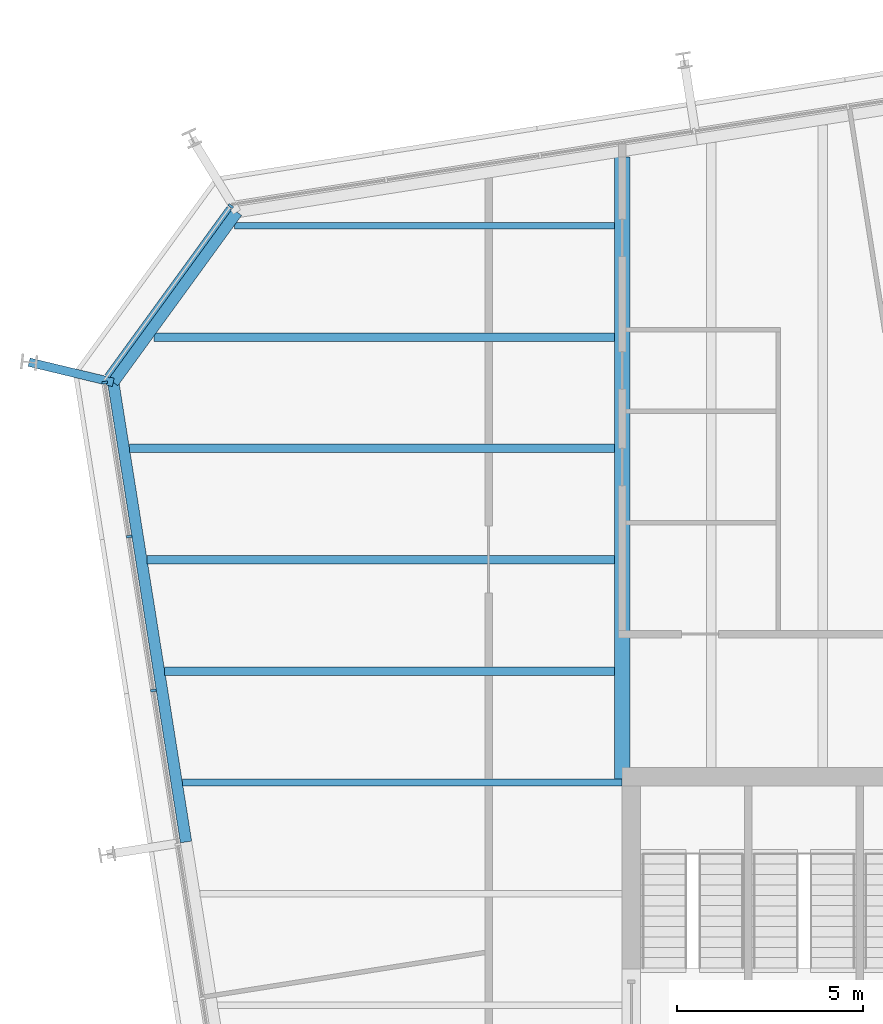
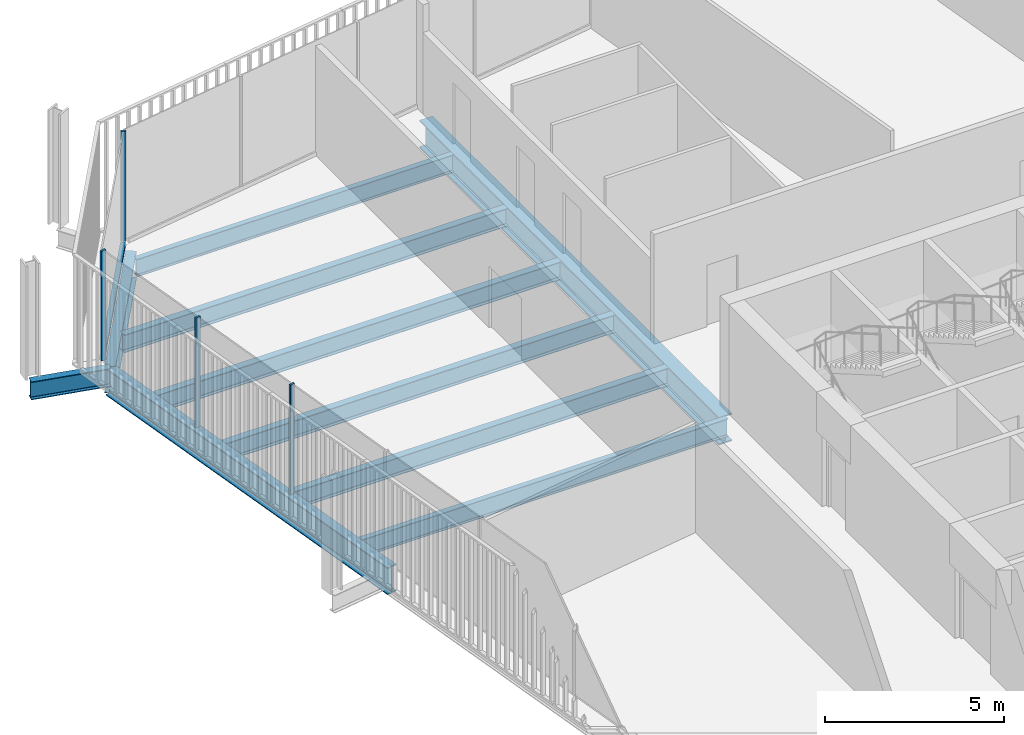
# One storey, part 10 of 20: 10 beams, 5 members, 2 elements without a shape of their own.
"""IFC4 building model written with IfcOpenShell, lengths in metres."""

from ifc_helpers import new_model, si_unit, direction, frame, origin, origin_2d, place, context, subcontext, project, spatial, rectangle, i_section, extrude, material, layer, layer_set, material_profile, profile_set, type_object, element, aggregate, save


model = new_model("IFC4")

# Units and contexts
model_context = context("Model", 3, precision=1e-05, world=origin(), true_north=direction((0.0, 1.0)))
body_context = subcontext(model_context, "Body", "Model", "MODEL_VIEW")
ifc_project = project(units=[si_unit("LENGTHUNIT", "METRE"), si_unit("AREAUNIT", "SQUARE_METRE"), si_unit("VOLUMEUNIT", "CUBIC_METRE"), si_unit("PLANEANGLEUNIT", "RADIAN"), si_unit("MASSUNIT", "GRAM", prefix="KILO")], contexts=[model_context])

# Site, building, storey
site_placement = place(None, origin())
site = spatial("IfcSite", under=ifc_project, at=site_placement, CompositionType="ELEMENT")
building_placement = place(site_placement, origin())
building = spatial("IfcBuilding", under=site, at=building_placement, Name="Millrace Tower", CompositionType="ELEMENT")
storey_placement = place(building_placement, frame((0.0, 0.0, 216.39990234375)))
storey = spatial("IfcBuildingStorey", under=building, at=storey_placement, Name="L49", CompositionType="ELEMENT", Elevation=216.39990234375)

# Curtain wall, member
ifc_material_1 = material(Name="Aluminium and glass", Category="aluminium")
ifc_layer = layer(ifc_material_1, 0.14990234375)
ifc_layer_set = layer_set([ifc_layer], Name="Aluminium and glass")
curtain_wall_type = type_object("IfcCurtainWallType", Name="CW-1 office vision curtain wall", PredefinedType="NOTDEFINED", material=ifc_layer_set)
placement = place(storey_placement, origin())
curtain_wall_1 = element("IfcCurtainWall", 1, at=placement, inside=storey, type_object=curtain_wall_type, Name="Curtain wall D-F07 L49", PredefinedType="NOTDEFINED")
ifc_material_2 = material(Name="Aluminium", Category="aluminium")
ifc_material_profile_1 = material_profile(ifc_material_2, rectangle(XDim=0.06494140625, YDim=0.14990234375, at=origin_2d()))
ifc_profile_set_1 = profile_set([ifc_material_profile_1], Name="Aluminium")
member_type_1 = type_object("IfcMemberType", Name="CW-1 office vision curtain wall mullion", PredefinedType="MULLION", material=ifc_profile_set_1)
member_1_placement = place(storey_placement, frame((-24.945068359375, 24.528076171875, 0.14013671875), z_axis=(0.0, 0.0, 1.0), x_axis=(-0.587785305991, -0.809016955361, 0.0)))
member_1 = element("IfcMember", 2, at=member_1_placement, type_object=member_type_1, Name="CW1 mullion D-F07.1", PredefinedType="MULLION", context=body_context, shape_type="SweptSolid", body=[
    extrude(rectangle(XDim=0.06494140625, YDim=0.14990234375, at=origin_2d()), origin(), (0.0, 0.0, 1.0), 3.760009765625),
])

# Curtain wall, members
curtain_wall_2 = element("IfcCurtainWall", 3, at=placement, inside=storey, type_object=curtain_wall_type, Name="Curtain wall D-F08 L49", PredefinedType="NOTDEFINED")
member_2_placement = place(storey_placement, frame((-28.342529296875, 19.775390625, 0.14013671875), z_axis=(0.0, 0.0, 1.0), x_axis=(0.156434471884, -0.987688339511, 0.0)))
member_2 = element("IfcMember", 4, at=member_2_placement, type_object=member_type_1, Name="CW1 mullion D-F08.1", PredefinedType="MULLION", context=body_context, shape_type="SweptSolid", body=[
    extrude(rectangle(XDim=0.06494140625, YDim=0.14990234375, at=origin_2d()), origin(), (0.0, 0.0, 1.0), 3.760009765625),
])
member_3_placement = place(storey_placement, frame((-27.685302734375, 15.627197265625, 0.14013671875), z_axis=(0.0, 0.0, 1.0), x_axis=(0.156434471884, -0.987688339511, 0.0)))
member_3 = element("IfcMember", 5, at=member_3_placement, type_object=member_type_1, Name="CW1 mullion D-F08.2", PredefinedType="MULLION", context=body_context, shape_type="SweptSolid", body=[
    extrude(rectangle(XDim=0.06494140625, YDim=0.14990234375, at=origin_2d()), origin(), (0.0, 0.0, 1.0), 3.760009765625),
])
member_4_placement = place(storey_placement, frame((-27.0283203125, 11.47900390625, 0.14013671875), z_axis=(0.0, 0.0, 1.0), x_axis=(0.156434471884, -0.987688339511, 0.0)))
member_4 = element("IfcMember", 6, at=member_4_placement, type_object=member_type_1, Name="CW1 mullion D-F08.3", PredefinedType="MULLION", context=body_context, shape_type="SweptSolid", body=[
    extrude(rectangle(XDim=0.06494140625, YDim=0.14990234375, at=origin_2d()), origin(), (0.0, 0.0, 1.0), 3.760009765625),
])
aggregate(curtain_wall_2, [member_2, member_3, member_4])

# Member
ifc_material_3 = material(Name="Aluminium", Category="aluminium")
ifc_material_profile_2 = material_profile(ifc_material_3, rectangle(XDim=0.14990234375, YDim=0.139892578125, at=origin_2d()))
ifc_profile_set_2 = profile_set([ifc_material_profile_2], Name="Aluminium")
member_type_2 = type_object("IfcMemberType", Name="CW-1 office vision curtain wall transom", PredefinedType="USERDEFINED", material=ifc_profile_set_2)
member_5_placement = place(storey_placement, frame((-24.98486328125, 24.473388671875, 0.070068359375), z_axis=(-0.587782670904, -0.809018869857, 0.0), x_axis=(0.809018869857, -0.587782670904, 0.0)))
member_5 = element("IfcMember", 7, at=member_5_placement, type_object=member_type_2, Name="CW1 transom D-F07.1", ObjectType="TRANSOM", PredefinedType="USERDEFINED", context=body_context, shape_type="SweptSolid", body=[
    extrude(rectangle(XDim=0.14990234375, YDim=0.139892578125, at=origin_2d()), origin(), (0.0, 0.0, 1.0), 5.59814453125),
])

aggregate(curtain_wall_1, [member_1, member_5])

# Beams
ifc_material_4 = material(Name="Steel ASTM A992 Grade 50", Category="steel")
ifc_material_profile_3 = material_profile(ifc_material_4, i_section(OverallWidth=0.1787109375, OverallDepth=0.60205078125, WebThickness=0.010986328125, FlangeThickness=0.014892578125, FilletRadius=0.0126953125, at=origin_2d()))
ifc_profile_set_3 = profile_set([ifc_material_profile_3], Name="Steel ASTM A992 Grade 50")
beam_type_1 = type_object("IfcBeamType", Name="Floor beam W24x62", PredefinedType="JOIST", material=ifc_profile_set_3)
beam_1_placement = place(storey_placement, frame((-26.248779296875, 9.0, -0.4609375), z_axis=(1.0, 0.0, 0.0), x_axis=(0.0, 1.0, 0.0)))
element("IfcBeam", 8, at=beam_1_placement, inside=storey, type_object=beam_type_1, Name="BM-D-L49-S1-S023", PredefinedType="JOIST", context=body_context, shape_type="SweptSolid", body=[
    extrude(i_section(OverallWidth=0.1787109375, OverallDepth=0.60205078125, WebThickness=0.010986328125, FlangeThickness=0.014892578125, FilletRadius=0.0126953125, at=origin_2d()), origin(), (0.0, 0.0, 1.0), 11.848876953125),
])
beam_2_placement = place(storey_placement, frame((-24.843994140625, 24.0, -0.4609375), z_axis=(1.0, 0.0, 0.0), x_axis=(0.0, 1.0, 0.0)))
element("IfcBeam", 9, at=beam_2_placement, inside=storey, type_object=beam_type_1, Name="BM-D-L49-S1-S033", PredefinedType="JOIST", context=body_context, shape_type="SweptSolid", body=[
    extrude(i_section(OverallWidth=0.1787109375, OverallDepth=0.60205078125, WebThickness=0.010986328125, FlangeThickness=0.014892578125, FilletRadius=0.0126953125, at=origin_2d()), origin(), (0.0, 0.0, 1.0), 10.234375),
])
ifc_material_5 = material(Name="Steel ASTM A992 Grade 50", Category="steel")
ifc_material_profile_4 = material_profile(ifc_material_5, i_section(OverallWidth=0.228271484375, OverallDepth=0.607177734375, WebThickness=0.01123046875, FlangeThickness=0.017333984375, FilletRadius=0.0126953125, at=origin_2d()))
ifc_profile_set_4 = profile_set([ifc_material_profile_4], Name="Steel ASTM A992 Grade 50")
beam_type_2 = type_object("IfcBeamType", Name="Floor beam W24x76", PredefinedType="JOIST", material=ifc_profile_set_4)
beam_3_placement = place(storey_placement, frame((-26.723876953125, 12.0, -0.46337890625), z_axis=(1.0, 0.0, 0.0), x_axis=(0.0, 1.0, 0.0)))
element("IfcBeam", 10, at=beam_3_placement, inside=storey, type_object=beam_type_2, Name="BM-D-L49-S1-S025", PredefinedType="JOIST", context=body_context, shape_type="SweptSolid", body=[
    extrude(i_section(OverallWidth=0.228271484375, OverallDepth=0.607177734375, WebThickness=0.01123046875, FlangeThickness=0.017333984375, FilletRadius=0.0126953125, at=origin_2d()), origin(), (0.0, 0.0, 1.0), 12.1142578125),
])
beam_4_placement = place(storey_placement, frame((-27.198974609375, 15.0, -0.46337890625), z_axis=(1.0, 0.0, 0.0), x_axis=(0.0, 1.0, 0.0)))
element("IfcBeam", 11, at=beam_4_placement, inside=storey, type_object=beam_type_2, Name="BM-D-L49-S1-S027", PredefinedType="JOIST", context=body_context, shape_type="SweptSolid", body=[
    extrude(i_section(OverallWidth=0.228271484375, OverallDepth=0.607177734375, WebThickness=0.01123046875, FlangeThickness=0.017333984375, FilletRadius=0.0126953125, at=origin_2d()), origin(), (0.0, 0.0, 1.0), 12.58935546875),
])
beam_5_placement = place(storey_placement, frame((-27.674072265625, 18.0, -0.46337890625), z_axis=(1.0, 0.0, 0.0), x_axis=(0.0, 1.0, 0.0)))
element("IfcBeam", 12, at=beam_5_placement, inside=storey, type_object=beam_type_2, Name="BM-D-L49-S1-S029", PredefinedType="JOIST", context=body_context, shape_type="SweptSolid", body=[
    extrude(i_section(OverallWidth=0.228271484375, OverallDepth=0.607177734375, WebThickness=0.01123046875, FlangeThickness=0.017333984375, FilletRadius=0.0126953125, at=origin_2d()), origin(), (0.0, 0.0, 1.0), 13.064453125),
])
beam_6_placement = place(storey_placement, frame((-27.0078125, 21.0, -0.46337890625), z_axis=(1.0, 0.0, 0.0), x_axis=(0.0, 1.0, 0.0)))
element("IfcBeam", 13, at=beam_6_placement, inside=storey, type_object=beam_type_2, Name="BM-D-L49-S1-S031", PredefinedType="JOIST", context=body_context, shape_type="SweptSolid", body=[
    extrude(i_section(OverallWidth=0.228271484375, OverallDepth=0.607177734375, WebThickness=0.01123046875, FlangeThickness=0.017333984375, FilletRadius=0.0126953125, at=origin_2d()), origin(), (0.0, 0.0, 1.0), 12.398193359375),
])
ifc_material_6 = material(Name="Steel ASTM A992 Grade 50", Category="steel")
ifc_material_profile_5 = material_profile(ifc_material_6, i_section(OverallWidth=0.424072265625, OverallDepth=0.947509765625, WebThickness=0.02392578125, FlangeThickness=0.042724609375, FilletRadius=0.024169921875, at=origin_2d()))
ifc_profile_set_5 = profile_set([ifc_material_profile_5], Name="Steel ASTM A992 Grade 50")
beam_type_3 = type_object("IfcBeamType", Name="Girder medium span W36x302", PredefinedType="BEAM", material=ifc_profile_set_5)
beam_7_placement = place(storey_placement, frame((-14.39990234375, 9.092041015625, -0.633544921875), z_axis=(0.0, 1.0, 0.0), x_axis=(-1.0, 0.0, 0.0)))
element("IfcBeam", 14, at=beam_7_placement, inside=storey, type_object=beam_type_3, Name="BM-D-L49-S1-G054", PredefinedType="BEAM", context=body_context, shape_type="SweptSolid", body=[
    extrude(i_section(OverallWidth=0.424072265625, OverallDepth=0.947509765625, WebThickness=0.02392578125, FlangeThickness=0.042724609375, FilletRadius=0.024169921875, at=origin_2d()), origin(), (0.0, 0.0, 1.0), 16.756591796875),
])
ifc_material_7 = material(Name="Steel ASTM A992 Grade 50", Category="steel")
ifc_material_profile_6 = material_profile(ifc_material_7, i_section(OverallWidth=0.23046875, OverallDepth=0.6171875, WebThickness=0.01318359375, FlangeThickness=0.022216796875, FilletRadius=0.012939453125, at=origin_2d()))
ifc_profile_set_6 = profile_set([ifc_material_profile_6], Name="Steel ASTM A992 Grade 50")
beam_type_4 = type_object("IfcBeamType", Name="Link beam W24x94", PredefinedType="BEAM", material=ifc_profile_set_6)
beam_8_placement = place(storey_placement, frame((-28.11181640625, 19.780517578125, -0.468505859375), z_axis=(-0.972367333652, 0.233456138164, 0.0), x_axis=(-0.233456138164, -0.972367333652, 0.0)))
element("IfcBeam", 15, at=beam_8_placement, inside=storey, type_object=beam_type_4, Name="LNK-D-L49-S1-04", PredefinedType="BEAM", context=body_context, shape_type="SweptSolid", body=[
    extrude(i_section(OverallWidth=0.23046875, OverallDepth=0.6171875, WebThickness=0.01318359375, FlangeThickness=0.022216796875, FilletRadius=0.012939453125, at=origin_2d()), origin(), (0.0, 0.0, 1.0), 2.3310546875),
])
ifc_material_8 = material(Name="Steel ASTM A992 Grade 50", Category="steel")
ifc_material_profile_7 = material_profile(ifc_material_8, i_section(OverallWidth=0.307373046875, OverallDepth=0.927001953125, WebThickness=0.01953125, FlangeThickness=0.031982421875, FilletRadius=0.01904296875, at=origin_2d()))
ifc_profile_set_7 = profile_set([ifc_material_profile_7], Name="Steel ASTM A992 Grade 50")
beam_type_5 = type_object("IfcBeamType", Name="Ring beam medium span W36x194", PredefinedType="SPANDREL", material=ifc_profile_set_7)
beam_9_placement = place(storey_placement, frame((-26.150634765625, 7.3984375, -0.62353515625), z_axis=(-0.156438575049, 0.987687689625, 0.0), x_axis=(-0.987687689625, -0.156438575049, 0.0)))
element("IfcBeam", 16, at=beam_9_placement, inside=storey, type_object=beam_type_5, Name="RNG-D-L49-S1-03", PredefinedType="SPANDREL", context=body_context, shape_type="SweptSolid", body=[
    extrude(i_section(OverallWidth=0.307373046875, OverallDepth=0.927001953125, WebThickness=0.01953125, FlangeThickness=0.031982421875, FilletRadius=0.01904296875, at=origin_2d()), origin(), (0.0, 0.0, 1.0), 12.536376953125),
])
ifc_material_9 = material(Name="Steel ASTM A992 Grade 50", Category="steel")
ifc_material_profile_8 = material_profile(ifc_material_9, i_section(OverallWidth=0.307373046875, OverallDepth=0.927001953125, WebThickness=0.01953125, FlangeThickness=0.031982421875, FilletRadius=0.01904296875, at=origin_2d()))
ifc_profile_set_8 = profile_set([ifc_material_profile_8], Name="Steel ASTM A992 Grade 50")
beam_type_6 = type_object("IfcBeamType", Name="Ring beam short span W36x194", PredefinedType="SPANDREL", material=ifc_profile_set_8)
beam_10_placement = place(storey_placement, frame((-28.11181640625, 19.780517578125, -0.62353515625), z_axis=(0.587808154511, 0.809000354444, 0.0), x_axis=(-0.809000354444, 0.587808154511, 0.0)))
element("IfcBeam", 17, at=beam_10_placement, inside=storey, type_object=beam_type_6, Name="RNG-D-L49-S1-04", PredefinedType="SPANDREL", context=body_context, shape_type="SweptSolid", body=[
    extrude(i_section(OverallWidth=0.307373046875, OverallDepth=0.927001953125, WebThickness=0.01953125, FlangeThickness=0.031982421875, FilletRadius=0.01904296875, at=origin_2d()), origin(), (0.0, 0.0, 1.0), 5.671142578125),
])

save(model, "model.ifc")
